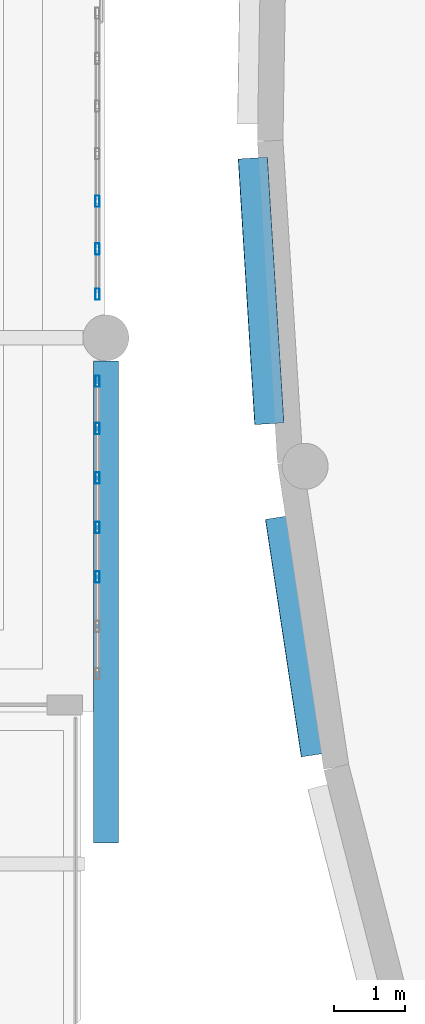
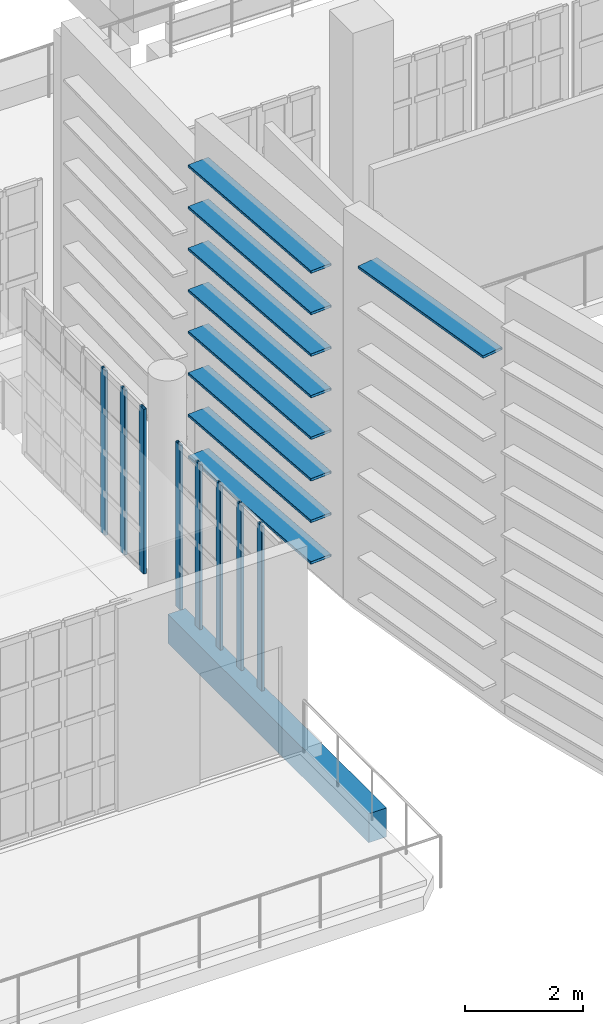
# One storey, part 12 of 73: 17 members, 1 beam, 2 elements without a shape of their own.
"""IFC4 building model written with IfcOpenShell, lengths in metres."""

from ifc_helpers import new_model, si_unit, direction, frame, origin, origin_2d, place, context, subcontext, project, spatial, rectangle, hollow_rectangle, extrude, material, material_profile, profile_set, type_object, element, aggregate, save


model = new_model("IFC4")

# Units and contexts
model_context = context("Model", 3, precision=1e-05, world=origin(), true_north=direction((0.0, 1.0)))
body_context = subcontext(model_context, "Body", "Model", "MODEL_VIEW")
ifc_project = project(units=[si_unit("LENGTHUNIT", "METRE"), si_unit("AREAUNIT", "SQUARE_METRE"), si_unit("VOLUMEUNIT", "CUBIC_METRE"), si_unit("PLANEANGLEUNIT", "RADIAN"), si_unit("MASSUNIT", "GRAM", prefix="KILO")], contexts=[model_context])

# Site, building, storey
site_placement = place(None, origin())
site = spatial("IfcSite", under=ifc_project, at=site_placement, CompositionType="ELEMENT")
building_placement = place(site_placement, origin())
building = spatial("IfcBuilding", under=site, at=building_placement, Name="Kaelora Sail Theatre", CompositionType="ELEMENT")
storey_placement = place(building_placement, frame((0.0, 0.0, 10.199951171875)))
storey = spatial("IfcBuildingStorey", under=building, at=storey_placement, Name="L02", CompositionType="ELEMENT", Elevation=10.199951171875)

# Members
ifc_material_1 = material(Name="Anodised aluminium 6063-T6", Category="aluminium")
ifc_material_profile_1 = material_profile(ifc_material_1, hollow_rectangle(XDim=0.419921875, YDim=0.054931640625, WallThickness=0.00390625, InnerFilletRadius=0.00390625, OuterFilletRadius=0.008056640625, at=origin_2d()), Name="LOUVRE 420x55x4")
ifc_profile_set_1 = profile_set([ifc_material_profile_1], Name="Anodised aluminium 6063-T6")
member_type_1 = type_object("IfcMemberType", Name="ARC-MEM-LVR-420", PredefinedType="USERDEFINED", material=ifc_profile_set_1)
member_1_placement = place(storey_placement, frame((77.3671875, 47.68603515625, 7.39013671875), z_axis=(-0.149296451162, 0.98879248059, 0.0), x_axis=(-0.98879248059, -0.149296451162, 0.0)))
element("IfcMember", 1, at=member_1_placement, inside=storey, type_object=member_type_1, Name="Studio Theatre Sail Drum horizontal solar louvre C18-20", ObjectType="LOUVRE", PredefinedType="USERDEFINED", context=body_context, shape_type="SweptSolid", body=[
    extrude(hollow_rectangle(XDim=0.419921875, YDim=0.054931640625, WallThickness=0.00390625, InnerFilletRadius=0.00390625, OuterFilletRadius=0.008056640625, at=origin_2d()), origin(), (0.0, 0.0, 1.0), 3.396484375),
])
for number, where, z_axis, x_axis, name in (
    (2, (76.7109375, 52.364990234375, 0.510009765625), (-0.062079432588, 0.998071211913, 0.0), (-0.998071211913, -0.062079432588, 0.0), "Studio Theatre Sail Drum horizontal solar louvre C19-12"),
    (3, (76.7109375, 52.364990234375, 1.3701171875), (-0.062079432588, 0.998071211913, 0.0), (-0.998071211913, -0.062079432588, 0.0), "Studio Theatre Sail Drum horizontal solar louvre C19-13"),
    (4, (76.7109375, 52.364990234375, 2.22998046875), (-0.062079432588, 0.998071211913, 0.0), (-0.998071211913, -0.062079432588, 0.0), "Studio Theatre Sail Drum horizontal solar louvre C19-14"),
    (5, (76.7109375, 52.364990234375, 3.090087890625), (-0.062079432588, 0.998071211913, 0.0), (-0.998071211913, -0.062079432588, 0.0), "Studio Theatre Sail Drum horizontal solar louvre C19-15"),
    (6, (76.7109375, 52.364990234375, 3.949951171875), (-0.062079432588, 0.998071211913, 0.0), (-0.998071211913, -0.062079432588, 0.0), "Studio Theatre Sail Drum horizontal solar louvre C19-16"),
    (7, (76.7109375, 52.364990234375, 4.81005859375), (-0.062079432588, 0.998071211913, 0.0), (-0.998071211913, -0.062079432588, 0.0), "Studio Theatre Sail Drum horizontal solar louvre C19-17"),
    (8, (76.7109375, 52.364990234375, 5.670166015625), (-0.062079432588, 0.998071211913, 0.0), (-0.998071211913, -0.062079432588, 0.0), "Studio Theatre Sail Drum horizontal solar louvre C19-18"),
    (9, (76.7109375, 52.364990234375, 6.530029296875), (-0.062079432588, 0.998071211913, 0.0), (-0.998071211913, -0.062079432588, 0.0), "Studio Theatre Sail Drum horizontal solar louvre C19-19"),
):
    element("IfcMember", number, at=place(storey_placement, frame(where, z_axis=z_axis, x_axis=x_axis)), inside=storey, type_object=member_type_1, Name=name, ObjectType="LOUVRE", PredefinedType="USERDEFINED", context=body_context, shape_type="SweptSolid", body=[
        extrude(hollow_rectangle(XDim=0.419921875, YDim=0.054931640625, WallThickness=0.00390625, InnerFilletRadius=0.00390625, OuterFilletRadius=0.008056640625, at=origin_2d()), origin(), (0.0, 0.0, 1.0), 3.763671875),
    ])

# Curtain wall, members
ifc_material_2 = material(Name="Anodised aluminium and solar-control low-E IGU", Category="aluminium")
curtain_wall_type = type_object("IfcCurtainWallType", Name="ARC-CW-CW-BRG", PredefinedType="NOTDEFINED", material=ifc_material_2)
curtain_wall_1_placement = place(storey_placement, origin())
curtain_wall_1 = element("IfcCurtainWall", 10, at=curtain_wall_1_placement, inside=storey, type_object=curtain_wall_type, Name="West Interstitial Foyer East Glazed Return L02-01", PredefinedType="NOTDEFINED")
ifc_material_3 = material(Name="Anodised aluminium 6063-T6", Category="aluminium")
ifc_material_profile_2 = material_profile(ifc_material_3, hollow_rectangle(XDim=0.06005859375, YDim=0.159912109375, WallThickness=0.00390625, InnerFilletRadius=0.00390625, OuterFilletRadius=0.008056640625, at=origin_2d()), Name="ALU-MULL 60x160x4")
ifc_profile_set_2 = profile_set([ifc_material_profile_2], Name="Anodised aluminium 6063-T6")
member_type_2 = type_object("IfcMemberType", Name="ARC-MEM-ML-160", PredefinedType="MULLION", material=ifc_profile_set_2)
member_2_placement = place(storey_placement, frame((74.280029296875, 50.1982421875, 0.0), z_axis=(0.0, 0.0, 1.0), x_axis=(-1.0, 0.0, 0.0)))
member_2 = element("IfcMember", 11, at=member_2_placement, type_object=member_type_2, Name="CW-BRG mullion 3", PredefinedType="MULLION", context=body_context, shape_type="SweptSolid", body=[
    extrude(hollow_rectangle(XDim=0.06005859375, YDim=0.159912109375, WallThickness=0.00390625, InnerFilletRadius=0.00390625, OuterFilletRadius=0.008056640625, at=origin_2d()), origin(), (0.0, 0.0, 1.0), 3.406982421875),
])
member_3_placement = place(storey_placement, frame((74.280029296875, 50.8974609375, 0.0), z_axis=(0.0, 0.0, 1.0), x_axis=(-1.0, 0.0, 0.0)))
member_3 = element("IfcMember", 12, at=member_3_placement, type_object=member_type_2, Name="CW-BRG mullion 4", PredefinedType="MULLION", context=body_context, shape_type="SweptSolid", body=[
    extrude(hollow_rectangle(XDim=0.06005859375, YDim=0.159912109375, WallThickness=0.00390625, InnerFilletRadius=0.00390625, OuterFilletRadius=0.008056640625, at=origin_2d()), origin(), (0.0, 0.0, 1.0), 3.406982421875),
])
member_4_placement = place(storey_placement, frame((74.280029296875, 51.5966796875, 0.0), z_axis=(0.0, 0.0, 1.0), x_axis=(-1.0, 0.0, 0.0)))
member_4 = element("IfcMember", 13, at=member_4_placement, type_object=member_type_2, Name="CW-BRG mullion 5", PredefinedType="MULLION", context=body_context, shape_type="SweptSolid", body=[
    extrude(hollow_rectangle(XDim=0.06005859375, YDim=0.159912109375, WallThickness=0.00390625, InnerFilletRadius=0.00390625, OuterFilletRadius=0.008056640625, at=origin_2d()), origin(), (0.0, 0.0, 1.0), 3.406982421875),
])
member_5_placement = place(storey_placement, frame((74.280029296875, 52.2958984375, 0.0), z_axis=(0.0, 0.0, 1.0), x_axis=(-1.0, 0.0, 0.0)))
member_5 = element("IfcMember", 14, at=member_5_placement, type_object=member_type_2, Name="CW-BRG mullion 6", PredefinedType="MULLION", context=body_context, shape_type="SweptSolid", body=[
    extrude(hollow_rectangle(XDim=0.06005859375, YDim=0.159912109375, WallThickness=0.00390625, InnerFilletRadius=0.00390625, OuterFilletRadius=0.008056640625, at=origin_2d()), origin(), (0.0, 0.0, 1.0), 3.406982421875),
])
member_6_placement = place(storey_placement, frame((74.280029296875, 52.965087890625, 0.0), z_axis=(0.0, 0.0, 1.0), x_axis=(-1.0, 0.0, 0.0)))
member_6 = element("IfcMember", 15, at=member_6_placement, type_object=member_type_2, Name="CW-BRG mullion 7", PredefinedType="MULLION", context=body_context, shape_type="SweptSolid", body=[
    extrude(hollow_rectangle(XDim=0.06005859375, YDim=0.159912109375, WallThickness=0.00390625, InnerFilletRadius=0.00390625, OuterFilletRadius=0.008056640625, at=origin_2d()), origin(), (0.0, 0.0, 1.0), 3.406982421875),
])
aggregate(curtain_wall_1, [member_2, member_3, member_4, member_5, member_6])

curtain_wall_2_placement = place(storey_placement, origin())
curtain_wall_2 = element("IfcCurtainWall", 16, at=curtain_wall_2_placement, inside=storey, type_object=curtain_wall_type, Name="West Interstitial Foyer East Glazed Return L02-02", PredefinedType="NOTDEFINED")
member_7_placement = place(storey_placement, frame((74.280029296875, 54.195068359375, 0.0), z_axis=(0.0, 0.0, 1.0), x_axis=(-1.0, 0.0, 0.0)))
member_7 = element("IfcMember", 17, at=member_7_placement, type_object=member_type_2, Name="CW-BRG mullion 1", PredefinedType="MULLION", context=body_context, shape_type="SweptSolid", body=[
    extrude(hollow_rectangle(XDim=0.06005859375, YDim=0.159912109375, WallThickness=0.00390625, InnerFilletRadius=0.00390625, OuterFilletRadius=0.008056640625, at=origin_2d()), origin(), (0.0, 0.0, 1.0), 3.406982421875),
])
member_8_placement = place(storey_placement, frame((74.280029296875, 54.83740234375, 0.0), z_axis=(0.0, 0.0, 1.0), x_axis=(-1.0, 0.0, 0.0)))
member_8 = element("IfcMember", 18, at=member_8_placement, type_object=member_type_2, Name="CW-BRG mullion 2", PredefinedType="MULLION", context=body_context, shape_type="SweptSolid", body=[
    extrude(hollow_rectangle(XDim=0.06005859375, YDim=0.159912109375, WallThickness=0.00390625, InnerFilletRadius=0.00390625, OuterFilletRadius=0.008056640625, at=origin_2d()), origin(), (0.0, 0.0, 1.0), 3.406982421875),
])
member_9_placement = place(storey_placement, frame((74.280029296875, 55.510009765625, 0.0), z_axis=(0.0, 0.0, 1.0), x_axis=(-1.0, 0.0, 0.0)))
member_9 = element("IfcMember", 19, at=member_9_placement, type_object=member_type_2, Name="CW-BRG mullion 3", PredefinedType="MULLION", context=body_context, shape_type="SweptSolid", body=[
    extrude(hollow_rectangle(XDim=0.06005859375, YDim=0.159912109375, WallThickness=0.00390625, InnerFilletRadius=0.00390625, OuterFilletRadius=0.008056640625, at=origin_2d()), origin(), (0.0, 0.0, 1.0), 3.406982421875),
])
aggregate(curtain_wall_2, [member_7, member_8, member_9])

# Beam
ifc_material_4 = material(Name="Concrete C40/50", Category="concrete")
ifc_material_profile_3 = material_profile(ifc_material_4, rectangle(XDim=0.35009765625, YDim=0.60009765625, at=origin_2d()), Name="RC-BM 350x600")
ifc_profile_set_3 = profile_set([ifc_material_profile_3], Name="Concrete C40/50")
beam_type = type_object("IfcBeamType", Name="STR-BM-BM-RC3560", PredefinedType="BEAM", material=ifc_profile_set_3)
beam_placement = place(storey_placement, frame((74.39990234375, 46.43994140625, -0.594970703125), z_axis=(0.0, 1.0, 0.0), x_axis=(-1.0, 0.0, 0.0)))
element("IfcBeam", 20, at=beam_placement, inside=storey, type_object=beam_type, Name="Primary beam 10 G-H (L02)", PredefinedType="BEAM", context=body_context, shape_type="SweptSolid", body=[
    extrude(rectangle(XDim=0.35009765625, YDim=0.60009765625, at=origin_2d()), origin(), (0.0, 0.0, 1.0), 6.81494140625),
])

save(model, "model.ifc")
